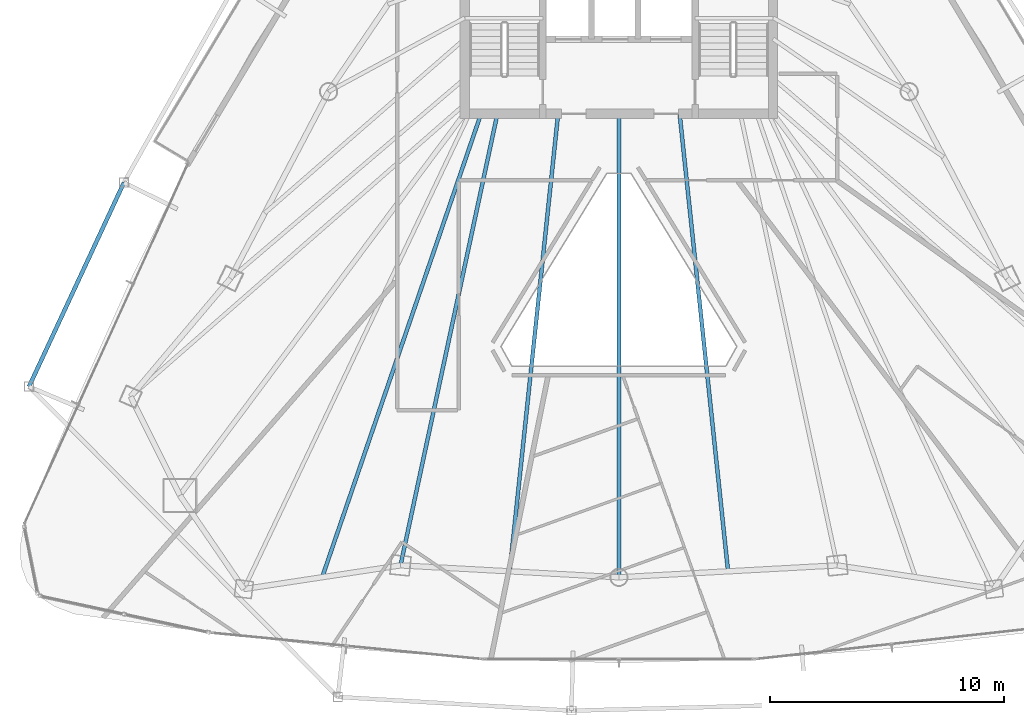
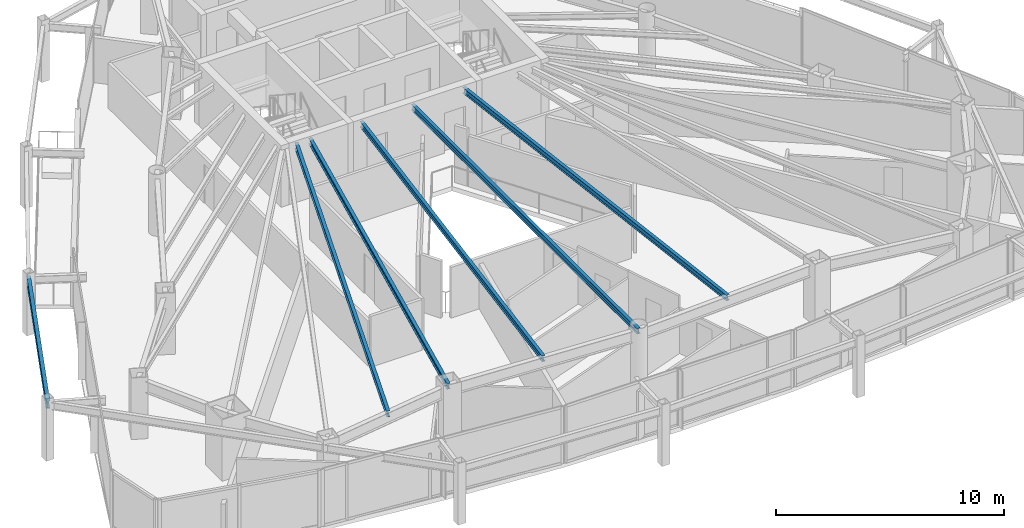
# One storey, part 9 of 30: 6 beams.
"""IFC4 building model written with IfcOpenShell, lengths in metres."""

from ifc_helpers import new_model, si_unit, direction, frame, origin, origin_2d, place, context, subcontext, project, spatial, i_section, extrude, material, material_profile, profile_set, type_object, element, save


model = new_model("IFC4")

# Units and contexts
model_context = context("Model", 3, precision=1e-05, world=origin(), true_north=direction((0.0, 1.0)))
body_context = subcontext(model_context, "Body", "Model", "MODEL_VIEW")
ifc_project = project(units=[si_unit("LENGTHUNIT", "METRE"), si_unit("AREAUNIT", "SQUARE_METRE"), si_unit("VOLUMEUNIT", "CUBIC_METRE"), si_unit("PLANEANGLEUNIT", "RADIAN"), si_unit("MASSUNIT", "GRAM", prefix="KILO")], contexts=[model_context])

# Site, building, storey
site_placement = place(None, origin())
site = spatial("IfcSite", under=ifc_project, at=site_placement, CompositionType="ELEMENT")
building_placement = place(site_placement, origin())
building = spatial("IfcBuilding", under=site, at=building_placement, Name="Orvanel Arch Residences", CompositionType="ELEMENT")
storey_placement = place(building_placement, frame((0.0, 0.0, 139.699951171875)))
storey = spatial("IfcBuildingStorey", under=building, at=storey_placement, Name="L39", CompositionType="ELEMENT", Elevation=139.699951171875)

# Beams
ifc_material = material(Name="Structural steel AS/NZS 3679.1 Grade 300 (300 MPa)", Category="steel")
ifc_material_profile_1 = material_profile(ifc_material, i_section(OverallWidth=0.1650390625, OverallDepth=0.303955078125, WebThickness=0.006103515625, FlangeThickness=0.01025390625, at=origin_2d()), Name="310UB40.4")
ifc_profile_set_1 = profile_set([ifc_material_profile_1], Name="Structural steel AS/NZS 3679.1 Grade 300 (300 MPa)")
beam_type_1 = type_object("IfcBeamType", Name="BJ-310UB", PredefinedType="JOIST", material=ifc_profile_set_1)
beam_1_placement = place(storey_placement, frame((27.800048828125, 26.699951171875, 2.907958984375), z_axis=(-0.209808012425, -0.977742603103, 0.0), x_axis=(0.977742603103, -0.209808012425, 0.0)))
element("IfcBeam", 1, at=beam_1_placement, inside=storey, type_object=beam_type_1, Name="L39 SW Wing Floor Joist", PredefinedType="JOIST", context=body_context, shape_type="SweptSolid", body=[
    extrude(i_section(OverallWidth=0.1650390625, OverallDepth=0.303955078125, WebThickness=0.006103515625, FlangeThickness=0.01025390625, at=origin_2d()), origin(), (0.0, 0.0, 1.0), 19.785400390625),
])
beam_2_placement = place(storey_placement, frame((33.0, 26.699951171875, 2.907958984375), z_axis=(0.0, -1.0, 0.0), x_axis=(1.0, 0.0, 0.0)))
element("IfcBeam", 2, at=beam_2_placement, inside=storey, type_object=beam_type_1, Name="L39 SSW Wing Floor Joist", PredefinedType="JOIST", context=body_context, shape_type="SweptSolid", body=[
    extrude(i_section(OverallWidth=0.1650390625, OverallDepth=0.303955078125, WebThickness=0.006103515625, FlangeThickness=0.01025390625, at=origin_2d()), origin(), (0.0, 0.0, 1.0), 19.85595703125),
])
for number, where, z_axis, x_axis, name in (
    (3, (30.39990234375, 26.699951171875, 2.907958984375), (-0.105277340935, -0.994442900063, 0.0), (0.994442900063, -0.105277340935, 0.0), "L39 WSW2 Wing Floor Joist"),
    (4, (35.60009765625, 26.699951171875, 2.907958984375), (0.105277340935, -0.994442900063, 0.0), (0.994442900063, 0.105277340935, 0.0), "L39 ESE2 Wing Floor Joist"),
):
    element("IfcBeam", number, at=place(storey_placement, frame(where, z_axis=z_axis, x_axis=x_axis)), inside=storey, type_object=beam_type_1, Name=name, PredefinedType="JOIST", context=body_context, shape_type="SweptSolid", body=[
        extrude(i_section(OverallWidth=0.1650390625, OverallDepth=0.303955078125, WebThickness=0.006103515625, FlangeThickness=0.01025390625, at=origin_2d()), origin(), (0.0, 0.0, 1.0), 19.70947265625),
    ])
beam_3_placement = place(storey_placement, frame((27.10009765625, 26.699951171875, 2.907958984375), z_axis=(-0.324257108963, -0.945968988544, 0.0), x_axis=(0.945968988544, -0.324257108963, 0.0)))
element("IfcBeam", 5, at=beam_3_placement, inside=storey, type_object=beam_type_1, Name="L39 JADD1 Wing Floor Joist", PredefinedType="JOIST", context=body_context, shape_type="SweptSolid", body=[
    extrude(i_section(OverallWidth=0.1650390625, OverallDepth=0.303955078125, WebThickness=0.006103515625, FlangeThickness=0.01025390625, at=origin_2d()), origin(), (0.0, 0.0, 1.0), 20.987060546875),
])
ifc_material_profile_2 = material_profile(ifc_material, i_section(OverallWidth=0.177978515625, OverallDepth=0.406005859375, WebThickness=0.0078125, FlangeThickness=0.0126953125, at=origin_2d()), Name="410UB59.7")
ifc_profile_set_2 = profile_set([ifc_material_profile_2], Name="Structural steel AS/NZS 3679.1 Grade 300 (300 MPa)")
beam_type_2 = type_object("IfcBeamType", Name="OB-410UB-EXT", PredefinedType="SPANDREL", material=ifc_profile_set_2)
beam_4_placement = place(storey_placement, frame((11.805908203125, 23.748046875, 2.85693359375), z_axis=(-0.42175496515, -0.906709848502, 0.0), x_axis=(0.906709848502, -0.42175496515, 0.0)))
element("IfcBeam", 6, at=beam_4_placement, inside=storey, type_object=beam_type_2, Name="L39 Outer Perimeter Floor Ring Beam 03", PredefinedType="SPANDREL", context=body_context, shape_type="SweptSolid", body=[
    extrude(i_section(OverallWidth=0.177978515625, OverallDepth=0.406005859375, WebThickness=0.0078125, FlangeThickness=0.0126953125, at=origin_2d()), origin(), (0.0, 0.0, 1.0), 9.63818359375),
])

save(model, "model.ifc")
